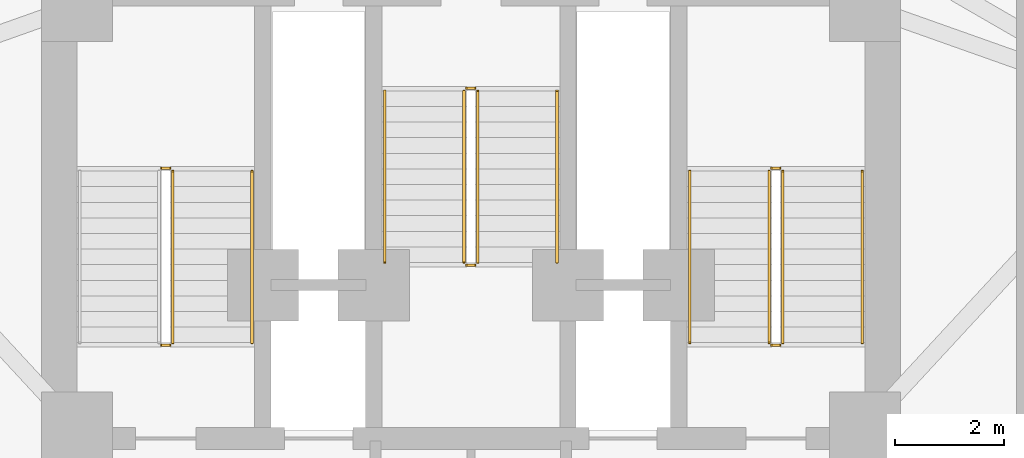
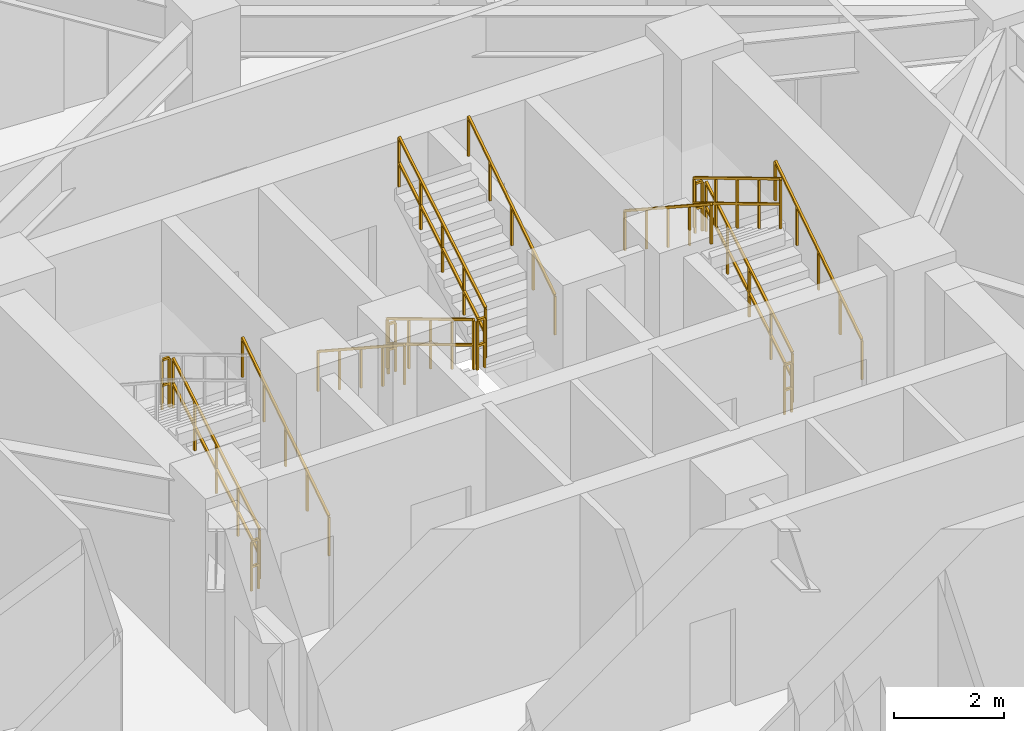
# One storey, part 11 of 12: 16 railings.
"""IFC4 building model written with IfcOpenShell, lengths in metres."""

from ifc_helpers import new_model, si_unit, direction, frame, origin, origin_2d, place, context, subcontext, project, spatial, rectangle, extrude, material, type_object, element, save


model = new_model("IFC4")

# Units and contexts
model_context = context("Model", 3, precision=1e-05, world=origin(), true_north=direction((0.0, 1.0)))
body_context = subcontext(model_context, "Body", "Model", "MODEL_VIEW")
ifc_project = project(units=[si_unit("LENGTHUNIT", "METRE"), si_unit("AREAUNIT", "SQUARE_METRE"), si_unit("VOLUMEUNIT", "CUBIC_METRE"), si_unit("PLANEANGLEUNIT", "RADIAN"), si_unit("MASSUNIT", "GRAM", prefix="KILO")], contexts=[model_context])

# Site, building, storey
site_placement = place(None, origin())
site = spatial("IfcSite", under=ifc_project, at=site_placement, CompositionType="ELEMENT")
building_placement = place(site_placement, origin())
building = spatial("IfcBuilding", under=site, at=building_placement, Name="Apsidion Concourse Tower", CompositionType="ELEMENT")
storey_placement = place(building_placement, frame((0.0, 0.0, 165.5)))
storey = spatial("IfcBuildingStorey", under=building, at=storey_placement, Name="L38", CompositionType="ELEMENT", Elevation=165.5)

# Railings
ifc_material = material(Name="Brushed stainless steel 316", Category="steel")
railing_type_1 = type_object("IfcRailingType", Name="RL-GUARD-1100", PredefinedType="GUARDRAIL", material=ifc_material)
railing_1_placement = place(storey_placement, frame((-5.449951171875, 3.0, 0.1708984375)))
element("IfcRailing", 1, at=railing_1_placement, inside=storey, type_object=railing_type_1, Name="L38 ST1 stair guard 1", PredefinedType="GUARDRAIL", context=body_context, shape_type="SweptSolid", body=[
    extrude(rectangle(XDim=0.048095703125, YDim=0.048095703125, at=origin_2d()), frame((0.0, 0.0, 1.09619140625), z_axis=(0.0, 0.857716804754, 0.514122439544), x_axis=(-1.0, 0.0, 0.0)), (0.0, 0.0, 1.0), 3.655029296875),
    extrude(rectangle(XDim=0.048095703125, YDim=0.048095703125, at=origin_2d()), frame((0.0, 0.0, 0.5361328125), z_axis=(0.0, 0.857716804754, 0.514122439544), x_axis=(-1.0, 0.0, 0.0)), (0.0, 0.0, 1.0), 3.655029296875),
    extrude(rectangle(XDim=0.0419921875, YDim=0.0419921875, at=origin_2d()), origin(), (0.0, 0.0, 1.0), 1.072021484375),
    extrude(rectangle(XDim=0.0419921875, YDim=0.0419921875, at=origin_2d()), frame((0.0, 0.78369140625, 0.4697265625)), (0.0, 0.0, 1.0), 1.072021484375),
    extrude(rectangle(XDim=0.0419921875, YDim=0.0419921875, at=origin_2d()), frame((0.0, 1.5673828125, 0.939453125)), (0.0, 0.0, 1.0), 1.072021484375),
    extrude(rectangle(XDim=0.0419921875, YDim=0.0419921875, at=origin_2d()), frame((0.0, 2.351318359375, 1.409423828125)), (0.0, 0.0, 1.0), 1.072021484375),
    extrude(rectangle(XDim=0.0419921875, YDim=0.0419921875, at=origin_2d()), frame((0.0, 3.135009765625, 1.879150390625)), (0.0, 0.0, 1.0), 1.072021484375),
])
for number, where, name in (
    (2, (-5.5, 6.18505859375, 2.050048828125), "L38 ST1 stair guard 2"),
    (3, (-5.5, 2.949951171875, 0.0), "L38 ST1 stair guard 4"),
):
    element("IfcRailing", number, at=place(storey_placement, frame(where)), inside=storey, type_object=railing_type_1, Name=name, PredefinedType="GUARDRAIL", context=body_context, shape_type="SweptSolid", body=[
        extrude(rectangle(XDim=0.048095703125, YDim=0.048095703125, at=origin_2d()), frame((0.0, 0.0, 1.09619140625), z_axis=(-1.0, 0.0, 0.0), x_axis=(0.0, -1.0, 0.0)), (0.0, 0.0, 1.0), 0.14990234375),
        extrude(rectangle(XDim=0.048095703125, YDim=0.048095703125, at=origin_2d()), frame((0.0, 0.0, 0.5361328125), z_axis=(-1.0, 0.0, 0.0), x_axis=(0.0, -1.0, 0.0)), (0.0, 0.0, 1.0), 0.14990234375),
        extrude(rectangle(XDim=0.0419921875, YDim=0.0419921875, at=origin_2d()), origin(), (0.0, 0.0, 1.0), 1.072021484375),
        extrude(rectangle(XDim=0.0419921875, YDim=0.0419921875, at=origin_2d()), frame((-0.14990234375, 0.0, 0.0)), (0.0, 0.0, 1.0), 1.072021484375),
    ])
railing_2_placement = place(storey_placement, frame((5.699951171875, 3.0, 0.1708984375)))
element("IfcRailing", 4, at=railing_2_placement, inside=storey, type_object=railing_type_1, Name="L38 ST2 stair guard 1", PredefinedType="GUARDRAIL", context=body_context, shape_type="SweptSolid", body=[
    extrude(rectangle(XDim=0.048095703125, YDim=0.048095703125, at=origin_2d()), frame((0.0, 0.0, 1.09619140625), z_axis=(0.0, 0.857716804754, 0.514122439544), x_axis=(-1.0, 0.0, 0.0)), (0.0, 0.0, 1.0), 3.655029296875),
    extrude(rectangle(XDim=0.048095703125, YDim=0.048095703125, at=origin_2d()), frame((0.0, 0.0, 0.5361328125), z_axis=(0.0, 0.857716804754, 0.514122439544), x_axis=(-1.0, 0.0, 0.0)), (0.0, 0.0, 1.0), 3.655029296875),
    extrude(rectangle(XDim=0.0419921875, YDim=0.0419921875, at=origin_2d()), origin(), (0.0, 0.0, 1.0), 1.072021484375),
    extrude(rectangle(XDim=0.0419921875, YDim=0.0419921875, at=origin_2d()), frame((0.0, 0.78369140625, 0.4697265625)), (0.0, 0.0, 1.0), 1.072021484375),
    extrude(rectangle(XDim=0.0419921875, YDim=0.0419921875, at=origin_2d()), frame((0.0, 1.5673828125, 0.939453125)), (0.0, 0.0, 1.0), 1.072021484375),
    extrude(rectangle(XDim=0.0419921875, YDim=0.0419921875, at=origin_2d()), frame((0.0, 2.351318359375, 1.409423828125)), (0.0, 0.0, 1.0), 1.072021484375),
    extrude(rectangle(XDim=0.0419921875, YDim=0.0419921875, at=origin_2d()), frame((0.0, 3.135009765625, 1.879150390625)), (0.0, 0.0, 1.0), 1.072021484375),
])
railing_3_placement = place(storey_placement, frame((5.64990234375, 6.18505859375, 2.050048828125)))
element("IfcRailing", 5, at=railing_3_placement, inside=storey, type_object=railing_type_1, Name="L38 ST2 stair guard 2", PredefinedType="GUARDRAIL", context=body_context, shape_type="SweptSolid", body=[
    extrude(rectangle(XDim=0.048095703125, YDim=0.048095703125, at=origin_2d()), frame((0.0, 0.0, 1.09619140625), z_axis=(-1.0, 0.0, 0.0), x_axis=(0.0, -1.0, 0.0)), (0.0, 0.0, 1.0), 0.14990234375),
    extrude(rectangle(XDim=0.048095703125, YDim=0.048095703125, at=origin_2d()), frame((0.0, 0.0, 0.5361328125), z_axis=(-1.0, 0.0, 0.0), x_axis=(0.0, -1.0, 0.0)), (0.0, 0.0, 1.0), 0.14990234375),
    extrude(rectangle(XDim=0.0419921875, YDim=0.0419921875, at=origin_2d()), origin(), (0.0, 0.0, 1.0), 1.072021484375),
    extrude(rectangle(XDim=0.0419921875, YDim=0.0419921875, at=origin_2d()), frame((-0.14990234375, 0.0, 0.0)), (0.0, 0.0, 1.0), 1.072021484375),
])
railing_4_placement = place(storey_placement, frame((5.449951171875, 6.135009765625, 2.220947265625)))
element("IfcRailing", 6, at=railing_4_placement, inside=storey, type_object=railing_type_1, Name="L38 ST2 stair guard 3", PredefinedType="GUARDRAIL", context=body_context, shape_type="SweptSolid", body=[
    extrude(rectangle(XDim=0.048095703125, YDim=0.048095703125, at=origin_2d()), frame((0.0, 0.0, 1.09619140625), z_axis=(0.0, -0.857716804754, 0.514122439544), x_axis=(1.0, 0.0, 0.0)), (0.0, 0.0, 1.0), 3.655029296875),
    extrude(rectangle(XDim=0.048095703125, YDim=0.048095703125, at=origin_2d()), frame((0.0, 0.0, 0.5361328125), z_axis=(0.0, -0.857716804754, 0.514122439544), x_axis=(1.0, 0.0, 0.0)), (0.0, 0.0, 1.0), 3.655029296875),
    extrude(rectangle(XDim=0.0419921875, YDim=0.0419921875, at=origin_2d()), origin(), (0.0, 0.0, 1.0), 1.072021484375),
    extrude(rectangle(XDim=0.0419921875, YDim=0.0419921875, at=origin_2d()), frame((0.0, -0.78369140625, 0.4697265625)), (0.0, 0.0, 1.0), 1.072021484375),
    extrude(rectangle(XDim=0.0419921875, YDim=0.0419921875, at=origin_2d()), frame((0.0, -1.5673828125, 0.939453125)), (0.0, 0.0, 1.0), 1.072021484375),
    extrude(rectangle(XDim=0.0419921875, YDim=0.0419921875, at=origin_2d()), frame((0.0, -2.351318359375, 1.409423828125)), (0.0, 0.0, 1.0), 1.072021484375),
    extrude(rectangle(XDim=0.0419921875, YDim=0.0419921875, at=origin_2d()), frame((0.0, -3.135009765625, 1.879150390625)), (0.0, 0.0, 1.0), 1.072021484375),
])
railing_5_placement = place(storey_placement, frame((5.64990234375, 2.949951171875, 0.0)))
element("IfcRailing", 7, at=railing_5_placement, inside=storey, type_object=railing_type_1, Name="L38 ST2 stair guard 4", PredefinedType="GUARDRAIL", context=body_context, shape_type="SweptSolid", body=[
    extrude(rectangle(XDim=0.048095703125, YDim=0.048095703125, at=origin_2d()), frame((0.0, 0.0, 1.09619140625), z_axis=(-1.0, 0.0, 0.0), x_axis=(0.0, -1.0, 0.0)), (0.0, 0.0, 1.0), 0.14990234375),
    extrude(rectangle(XDim=0.048095703125, YDim=0.048095703125, at=origin_2d()), frame((0.0, 0.0, 0.5361328125), z_axis=(-1.0, 0.0, 0.0), x_axis=(0.0, -1.0, 0.0)), (0.0, 0.0, 1.0), 0.14990234375),
    extrude(rectangle(XDim=0.0419921875, YDim=0.0419921875, at=origin_2d()), origin(), (0.0, 0.0, 1.0), 1.072021484375),
    extrude(rectangle(XDim=0.0419921875, YDim=0.0419921875, at=origin_2d()), frame((-0.14990234375, 0.0, 0.0)), (0.0, 0.0, 1.0), 1.072021484375),
])
railing_6_placement = place(storey_placement, frame((-0.125, 7.60009765625, 0.1708984375)))
element("IfcRailing", 8, at=railing_6_placement, inside=storey, type_object=railing_type_1, Name="L38 ST3 stair guard 1", PredefinedType="GUARDRAIL", context=body_context, shape_type="SweptSolid", body=[
    extrude(rectangle(XDim=0.048095703125, YDim=0.048095703125, at=origin_2d()), frame((0.0, 0.0, 1.09619140625), z_axis=(0.0, -0.857716804754, 0.514122439544), x_axis=(1.0, 0.0, 0.0)), (0.0, 0.0, 1.0), 3.655029296875),
    extrude(rectangle(XDim=0.048095703125, YDim=0.048095703125, at=origin_2d()), frame((0.0, 0.0, 0.5361328125), z_axis=(0.0, -0.857716804754, 0.514122439544), x_axis=(1.0, 0.0, 0.0)), (0.0, 0.0, 1.0), 3.655029296875),
    extrude(rectangle(XDim=0.0419921875, YDim=0.0419921875, at=origin_2d()), origin(), (0.0, 0.0, 1.0), 1.072021484375),
    extrude(rectangle(XDim=0.0419921875, YDim=0.0419921875, at=origin_2d()), frame((0.0, -0.78369140625, 0.4697265625)), (0.0, 0.0, 1.0), 1.072021484375),
    extrude(rectangle(XDim=0.0419921875, YDim=0.0419921875, at=origin_2d()), frame((0.0, -1.5673828125, 0.939453125)), (0.0, 0.0, 1.0), 1.072021484375),
    extrude(rectangle(XDim=0.0419921875, YDim=0.0419921875, at=origin_2d()), frame((0.0, -2.351318359375, 1.409423828125)), (0.0, 0.0, 1.0), 1.072021484375),
    extrude(rectangle(XDim=0.0419921875, YDim=0.0419921875, at=origin_2d()), frame((0.0, -3.135009765625, 1.879150390625)), (0.0, 0.0, 1.0), 1.072021484375),
])
railing_7_placement = place(storey_placement, frame((-0.074951171875, 4.4150390625, 2.050048828125)))
element("IfcRailing", 9, at=railing_7_placement, inside=storey, type_object=railing_type_1, Name="L38 ST3 stair guard 2", PredefinedType="GUARDRAIL", context=body_context, shape_type="SweptSolid", body=[
    extrude(rectangle(XDim=0.048095703125, YDim=0.048095703125, at=origin_2d()), frame((0.0, 0.0, 1.09619140625), z_axis=(1.0, 0.0, 0.0), x_axis=(0.0, 1.0, 0.0)), (0.0, 0.0, 1.0), 0.14990234375),
    extrude(rectangle(XDim=0.048095703125, YDim=0.048095703125, at=origin_2d()), frame((0.0, 0.0, 0.5361328125), z_axis=(1.0, 0.0, 0.0), x_axis=(0.0, 1.0, 0.0)), (0.0, 0.0, 1.0), 0.14990234375),
    extrude(rectangle(XDim=0.0419921875, YDim=0.0419921875, at=origin_2d()), origin(), (0.0, 0.0, 1.0), 1.072021484375),
    extrude(rectangle(XDim=0.0419921875, YDim=0.0419921875, at=origin_2d()), frame((0.14990234375, 0.0, 0.0)), (0.0, 0.0, 1.0), 1.072021484375),
])
railing_8_placement = place(storey_placement, frame((0.125, 4.465087890625, 2.220947265625)))
element("IfcRailing", 10, at=railing_8_placement, inside=storey, type_object=railing_type_1, Name="L38 ST3 stair guard 3", PredefinedType="GUARDRAIL", context=body_context, shape_type="SweptSolid", body=[
    extrude(rectangle(XDim=0.048095703125, YDim=0.048095703125, at=origin_2d()), frame((0.0, 0.0, 1.09619140625), z_axis=(0.0, 0.857716804754, 0.514122439544), x_axis=(-1.0, 0.0, 0.0)), (0.0, 0.0, 1.0), 3.655029296875),
    extrude(rectangle(XDim=0.048095703125, YDim=0.048095703125, at=origin_2d()), frame((0.0, 0.0, 0.5361328125), z_axis=(0.0, 0.857716804754, 0.514122439544), x_axis=(-1.0, 0.0, 0.0)), (0.0, 0.0, 1.0), 3.655029296875),
    extrude(rectangle(XDim=0.0419921875, YDim=0.0419921875, at=origin_2d()), origin(), (0.0, 0.0, 1.0), 1.072021484375),
    extrude(rectangle(XDim=0.0419921875, YDim=0.0419921875, at=origin_2d()), frame((0.0, 0.78369140625, 0.4697265625)), (0.0, 0.0, 1.0), 1.072021484375),
    extrude(rectangle(XDim=0.0419921875, YDim=0.0419921875, at=origin_2d()), frame((0.0, 1.5673828125, 0.939453125)), (0.0, 0.0, 1.0), 1.072021484375),
    extrude(rectangle(XDim=0.0419921875, YDim=0.0419921875, at=origin_2d()), frame((0.0, 2.351318359375, 1.409423828125)), (0.0, 0.0, 1.0), 1.072021484375),
    extrude(rectangle(XDim=0.0419921875, YDim=0.0419921875, at=origin_2d()), frame((0.0, 3.135009765625, 1.879150390625)), (0.0, 0.0, 1.0), 1.072021484375),
])
railing_9_placement = place(storey_placement, frame((-0.074951171875, 7.64990234375, 0.0)))
element("IfcRailing", 11, at=railing_9_placement, inside=storey, type_object=railing_type_1, Name="L38 ST3 stair guard 4", PredefinedType="GUARDRAIL", context=body_context, shape_type="SweptSolid", body=[
    extrude(rectangle(XDim=0.048095703125, YDim=0.048095703125, at=origin_2d()), frame((0.0, 0.0, 1.09619140625), z_axis=(1.0, 0.0, 0.0), x_axis=(0.0, 1.0, 0.0)), (0.0, 0.0, 1.0), 0.14990234375),
    extrude(rectangle(XDim=0.048095703125, YDim=0.048095703125, at=origin_2d()), frame((0.0, 0.0, 0.5361328125), z_axis=(1.0, 0.0, 0.0), x_axis=(0.0, 1.0, 0.0)), (0.0, 0.0, 1.0), 0.14990234375),
    extrude(rectangle(XDim=0.0419921875, YDim=0.0419921875, at=origin_2d()), origin(), (0.0, 0.0, 1.0), 1.072021484375),
    extrude(rectangle(XDim=0.0419921875, YDim=0.0419921875, at=origin_2d()), frame((0.14990234375, 0.0, 0.0)), (0.0, 0.0, 1.0), 1.072021484375),
])
railing_type_2 = type_object("IfcRailingType", Name="RL-HAND-900", PredefinedType="HANDRAIL", material=ifc_material)
for number, where, name in (
    (12, (-4.0, 3.0, 0.1708984375), "L38 ST1 stair handrail 1"),
    (13, (7.14990234375, 3.0, 0.1708984375), "L38 ST2 stair handrail 1"),
):
    element("IfcRailing", number, at=place(storey_placement, frame(where)), inside=storey, type_object=railing_type_2, Name=name, PredefinedType="HANDRAIL", context=body_context, shape_type="SweptSolid", body=[
        extrude(rectangle(XDim=0.048095703125, YDim=0.048095703125, at=origin_2d()), frame((0.0, 0.0, 0.8759765625), z_axis=(0.0, 0.836940907821, 0.547293263996), x_axis=(-1.0, 0.0, 0.0)), (0.0, 0.0, 1.0), 3.745849609375),
        extrude(rectangle(XDim=0.0419921875, YDim=0.0419921875, at=origin_2d()), origin(), (0.0, 0.0, 1.0), 0.851806640625),
        extrude(rectangle(XDim=0.0419921875, YDim=0.0419921875, at=origin_2d()), frame((0.0, 0.78369140625, 0.512451171875)), (0.0, 0.0, 1.0), 0.851806640625),
        extrude(rectangle(XDim=0.0419921875, YDim=0.0419921875, at=origin_2d()), frame((0.0, 1.5673828125, 1.02490234375)), (0.0, 0.0, 1.0), 0.851806640625),
        extrude(rectangle(XDim=0.0419921875, YDim=0.0419921875, at=origin_2d()), frame((0.0, 2.351318359375, 1.53759765625)), (0.0, 0.0, 1.0), 0.851806640625),
        extrude(rectangle(XDim=0.0419921875, YDim=0.0419921875, at=origin_2d()), frame((0.0, 3.135009765625, 2.050048828125)), (0.0, 0.0, 1.0), 0.851806640625),
    ])
railing_10_placement = place(storey_placement, frame((4.0, 6.135009765625, 2.220947265625)))
element("IfcRailing", 14, at=railing_10_placement, inside=storey, type_object=railing_type_2, Name="L38 ST2 stair handrail 2", PredefinedType="HANDRAIL", context=body_context, shape_type="SweptSolid", body=[
    extrude(rectangle(XDim=0.048095703125, YDim=0.048095703125, at=origin_2d()), frame((0.0, 0.0, 0.8759765625), z_axis=(0.0, -0.836970762213, 0.547247606848), x_axis=(1.0, 0.0, 0.0)), (0.0, 0.0, 1.0), 3.74560546875),
    extrude(rectangle(XDim=0.0419921875, YDim=0.0419921875, at=origin_2d()), origin(), (0.0, 0.0, 1.0), 0.851806640625),
    extrude(rectangle(XDim=0.0419921875, YDim=0.0419921875, at=origin_2d()), frame((0.0, -0.78369140625, 0.512451171875)), (0.0, 0.0, 1.0), 0.851806640625),
    extrude(rectangle(XDim=0.0419921875, YDim=0.0419921875, at=origin_2d()), frame((0.0, -1.5673828125, 1.02490234375)), (0.0, 0.0, 1.0), 0.851806640625),
    extrude(rectangle(XDim=0.0419921875, YDim=0.0419921875, at=origin_2d()), frame((0.0, -2.351318359375, 1.537353515625)), (0.0, 0.0, 1.0), 0.851806640625),
    extrude(rectangle(XDim=0.0419921875, YDim=0.0419921875, at=origin_2d()), frame((0.0, -3.135009765625, 2.0498046875)), (0.0, 0.0, 1.0), 0.851806640625),
])
railing_11_placement = place(storey_placement, frame((-1.574951171875, 7.60009765625, 0.1708984375)))
element("IfcRailing", 15, at=railing_11_placement, inside=storey, type_object=railing_type_2, Name="L38 ST3 stair handrail 1", PredefinedType="HANDRAIL", context=body_context, shape_type="SweptSolid", body=[
    extrude(rectangle(XDim=0.048095703125, YDim=0.048095703125, at=origin_2d()), frame((0.0, 0.0, 0.8759765625), z_axis=(0.0, -0.836940907821, 0.547293263996), x_axis=(1.0, 0.0, 0.0)), (0.0, 0.0, 1.0), 3.745849609375),
    extrude(rectangle(XDim=0.0419921875, YDim=0.0419921875, at=origin_2d()), origin(), (0.0, 0.0, 1.0), 0.851806640625),
    extrude(rectangle(XDim=0.0419921875, YDim=0.0419921875, at=origin_2d()), frame((0.0, -0.78369140625, 0.512451171875)), (0.0, 0.0, 1.0), 0.851806640625),
    extrude(rectangle(XDim=0.0419921875, YDim=0.0419921875, at=origin_2d()), frame((0.0, -1.5673828125, 1.02490234375)), (0.0, 0.0, 1.0), 0.851806640625),
    extrude(rectangle(XDim=0.0419921875, YDim=0.0419921875, at=origin_2d()), frame((0.0, -2.351318359375, 1.53759765625)), (0.0, 0.0, 1.0), 0.851806640625),
    extrude(rectangle(XDim=0.0419921875, YDim=0.0419921875, at=origin_2d()), frame((0.0, -3.135009765625, 2.050048828125)), (0.0, 0.0, 1.0), 0.851806640625),
])
railing_12_placement = place(storey_placement, frame((1.574951171875, 4.465087890625, 2.220947265625)))
element("IfcRailing", 16, at=railing_12_placement, inside=storey, type_object=railing_type_2, Name="L38 ST3 stair handrail 2", PredefinedType="HANDRAIL", context=body_context, shape_type="SweptSolid", body=[
    extrude(rectangle(XDim=0.048095703125, YDim=0.048095703125, at=origin_2d()), frame((0.0, 0.0, 0.8759765625), z_axis=(0.0, 0.836970762213, 0.547247606848), x_axis=(-1.0, 0.0, 0.0)), (0.0, 0.0, 1.0), 3.74560546875),
    extrude(rectangle(XDim=0.0419921875, YDim=0.0419921875, at=origin_2d()), origin(), (0.0, 0.0, 1.0), 0.851806640625),
    extrude(rectangle(XDim=0.0419921875, YDim=0.0419921875, at=origin_2d()), frame((0.0, 0.78369140625, 0.512451171875)), (0.0, 0.0, 1.0), 0.851806640625),
    extrude(rectangle(XDim=0.0419921875, YDim=0.0419921875, at=origin_2d()), frame((0.0, 1.5673828125, 1.02490234375)), (0.0, 0.0, 1.0), 0.851806640625),
    extrude(rectangle(XDim=0.0419921875, YDim=0.0419921875, at=origin_2d()), frame((0.0, 2.351318359375, 1.537353515625)), (0.0, 0.0, 1.0), 0.851806640625),
    extrude(rectangle(XDim=0.0419921875, YDim=0.0419921875, at=origin_2d()), frame((0.0, 3.135009765625, 2.0498046875)), (0.0, 0.0, 1.0), 0.851806640625),
])

save(model, "model.ifc")
